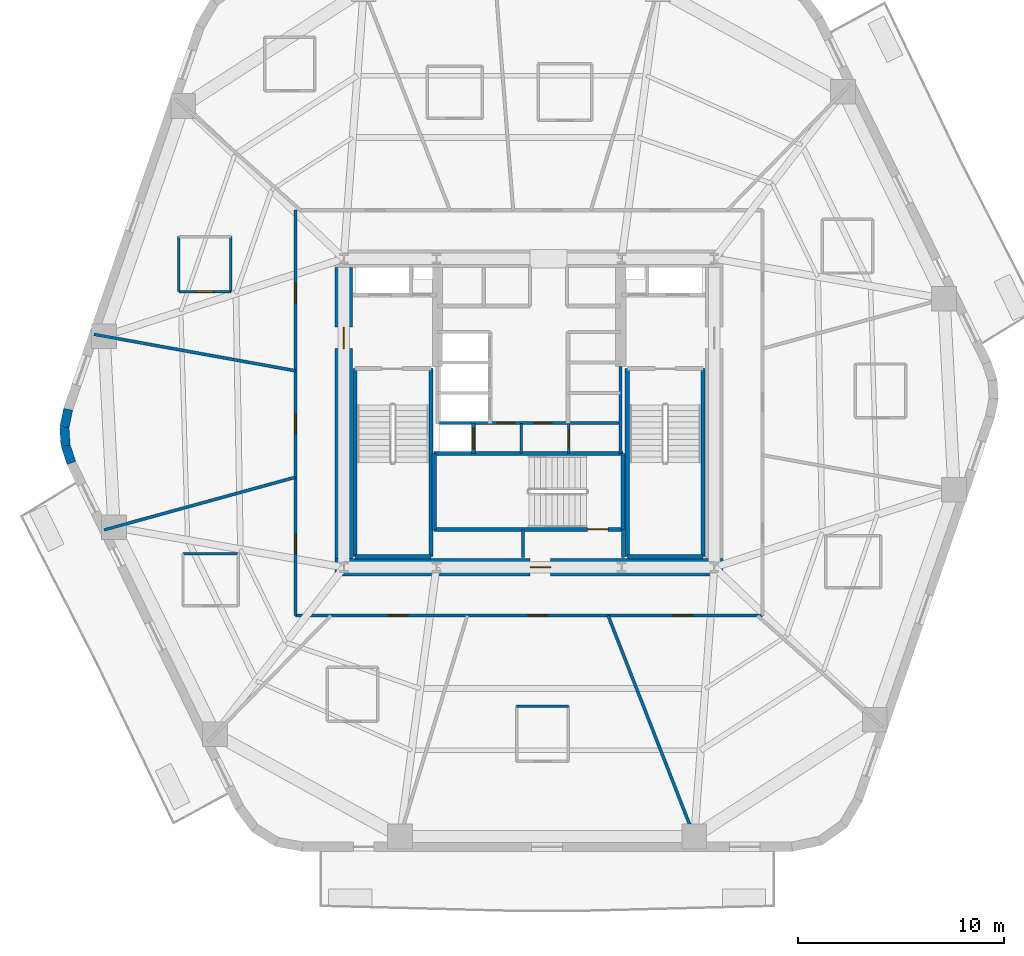
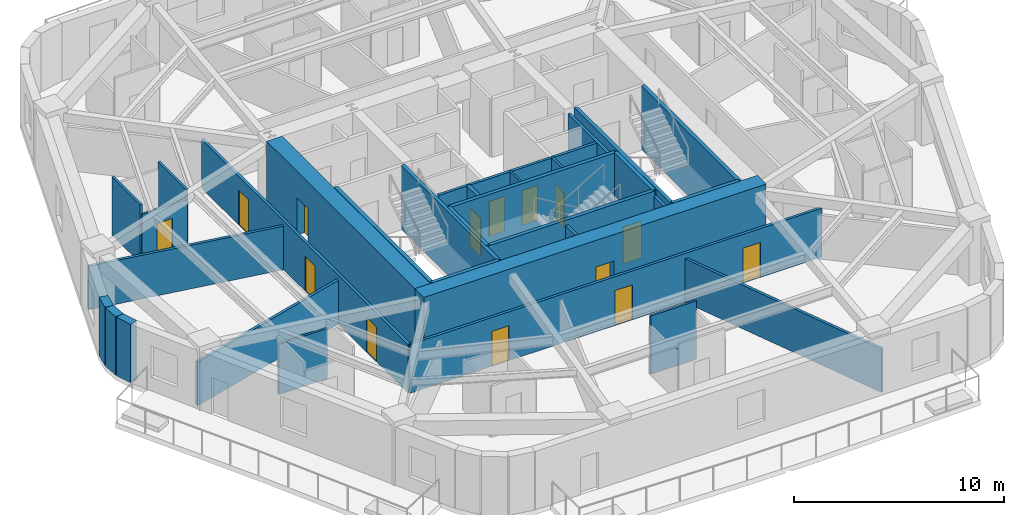
# One storey, part 3 of 9: 32 walls, 14 doors, 14 openings.
"""IFC4 building model written with IfcOpenShell, lengths in metres."""

from ifc_helpers import new_model, si_unit, direction, frame, frame_2d, origin, place, context, subcontext, project, spatial, rectangle, extrude, material, layer, layer_set, type_object, element, fill, save


model = new_model("IFC4")

# Units and contexts
model_context = context("Model", 3, precision=1e-05, world=origin(), true_north=direction((0.0, 1.0)))
body_context = subcontext(model_context, "Body", "Model", "MODEL_VIEW")
ifc_project = project(units=[si_unit("LENGTHUNIT", "METRE"), si_unit("AREAUNIT", "SQUARE_METRE"), si_unit("VOLUMEUNIT", "CUBIC_METRE"), si_unit("PLANEANGLEUNIT", "RADIAN"), si_unit("MASSUNIT", "GRAM", prefix="KILO")], contexts=[model_context])

# Site, building, storey
site_placement = place(None, origin())
site = spatial("IfcSite", under=ifc_project, at=site_placement, CompositionType="ELEMENT")
building_placement = place(site_placement, origin())
building = spatial("IfcBuilding", under=site, at=building_placement, Name="Kilnhurst Terrace Hotel", CompositionType="ELEMENT")
storey_placement = place(building_placement, frame((0.0, 0.0, 124.699951171875)))
storey = spatial("IfcBuildingStorey", under=building, at=storey_placement, Name="L30", CompositionType="ELEMENT", Elevation=124.699951171875)

# Walls
ifc_material_1 = material(Name="Precast concrete C40/50", Category="concrete")
ifc_layer_1 = layer(ifc_material_1, 0.449951171875, Name="Precast concrete C40/50")
ifc_layer_set_1 = layer_set([ifc_layer_1], Name="Precast concrete C40/50")
wall_type_1 = type_object("IfcWallType", Name="WL-BRK-450", PredefinedType="SOLIDWALL", material=ifc_layer_set_1)
wall_1_placement = place(storey_placement, frame((-22.39697265625, 0.17919921875, 0.0), z_axis=(0.0, 0.0, 1.0), x_axis=(-0.199313589404, -0.979935759669, 0.0)))
element("IfcWall", 1, at=wall_1_placement, inside=storey, type_object=wall_type_1, Name="L30 Rounded Corner Brick Wall C6.1", PredefinedType="SOLIDWALL", context=body_context, shape_type="SweptSolid", body=[
    extrude(rectangle(XDim=0.8955078125, YDim=0.449951171875, at=frame_2d((0.44775390625, 0.0))), origin(), (0.0, 0.0, 1.0), 3.400146484375),
])
wall_2_placement = place(storey_placement, frame((-22.575439453125, -0.6982421875, 0.0), z_axis=(0.0, 0.0, 1.0), x_axis=(0.060980441946, -0.998138961117, 0.0)))
element("IfcWall", 2, at=wall_2_placement, inside=storey, type_object=wall_type_1, Name="L30 Rounded Corner Brick Wall C6.2", PredefinedType="SOLIDWALL", context=body_context, shape_type="SweptSolid", body=[
    extrude(rectangle(XDim=0.880859375, YDim=0.449951171875, at=frame_2d((0.4404296875, 0.0))), origin(), (0.0, 0.0, 1.0), 3.400146484375),
])
wall_3_placement = place(storey_placement, frame((-22.521728515625, -1.577392578125, 0.0), z_axis=(0.0, 0.0, 1.0), x_axis=(0.317372694837, -0.948300887151, 0.0)))
element("IfcWall", 3, at=wall_3_placement, inside=storey, type_object=wall_type_1, Name="L30 Rounded Corner Brick Wall C6.3", PredefinedType="SOLIDWALL", context=body_context, shape_type="SweptSolid", body=[
    extrude(rectangle(XDim=0.8955078125, YDim=0.449951171875, at=frame_2d((0.44775390625, 0.0))), origin(), (0.0, 0.0, 1.0), 3.400146484375),
])

# Wall, openings, doors
ifc_material_2 = material(Name="Acoustic Double-Gypsum Corridor Partition Assembly")
ifc_layer_2 = layer(ifc_material_2, 0.14990234375, Name="Acoustic Double-Gypsum Corridor Partition Assembly")
ifc_layer_set_2 = layer_set([ifc_layer_2], Name="Acoustic Double-Gypsum Corridor Partition Assembly")
wall_type_2 = type_object("IfcWallType", Name="WL-COR-150", PredefinedType="PARTITIONING", material=ifc_layer_set_2)
wall_4_placement = place(storey_placement, frame((-11.35009765625, -9.85009765625, 0.0), z_axis=(0.0, 0.0, 1.0), x_axis=(0.0, 1.0, 0.0)))
wall_4 = element("IfcWall", 4, at=wall_4_placement, inside=storey, type_object=wall_type_2, Name="L30 Interior Wall WL-L30-COR-01", PredefinedType="PARTITIONING", context=body_context, shape_type="SweptSolid", body=[
    extrude(rectangle(XDim=19.7001953125, YDim=0.14990234375, at=frame_2d((9.85009765625, 0.0))), origin(), (0.0, 0.0, 1.0), 2.840087890625),
])
opening_1_placement = place(wall_4_placement, frame((15.205078125, 0.0, 0.0)))
opening_1 = element("IfcOpeningElement", 5, at=opening_1_placement, cuts=wall_4, Name="Opening D-60B", PredefinedType="OPENING", context=body_context, shape_type="SweptSolid", body=[
    extrude(rectangle(XDim=0.949951171875, YDim=2.030029296875, at=frame_2d((0.47509765625, 1.01513671875))), frame((0.0, 0.0849609375, 0.0), z_axis=(0.0, -1.0, 0.0), x_axis=(1.0, 0.0, 0.0)), (0.0, 0.0, 1.0), 0.169921875),
])
opening_2_placement = place(wall_4_placement, frame((8.8359375, 0.0, 0.0)))
opening_2 = element("IfcOpeningElement", 6, at=opening_2_placement, cuts=wall_4, Name="Opening D-60B", PredefinedType="OPENING", context=body_context, shape_type="SweptSolid", body=[
    extrude(rectangle(XDim=0.949951171875, YDim=2.030029296875, at=frame_2d((0.47509765625, 1.01513671875))), frame((0.0, 0.0849609375, 0.0), z_axis=(0.0, -1.0, 0.0), x_axis=(1.0, 0.0, 0.0)), (0.0, 0.0, 1.0), 0.169921875),
])
opening_3_placement = place(wall_4_placement, frame((3.008056640625, 0.0, 0.0)))
opening_3 = element("IfcOpeningElement", 7, at=opening_3_placement, cuts=wall_4, Name="Opening D-60B", PredefinedType="OPENING", context=body_context, shape_type="SweptSolid", body=[
    extrude(rectangle(XDim=0.949951171875, YDim=2.030029296875, at=frame_2d((0.47509765625, 1.01513671875))), frame((0.0, 0.0849609375, 0.0), z_axis=(0.0, -1.0, 0.0), x_axis=(1.0, 0.0, 0.0)), (0.0, 0.0, 1.0), 0.169921875),
])
ifc_material_3 = material(Name="Acoustic Walnut Veneer Solid-Core Fire Door")
door_type_1 = type_object("IfcDoorType", Name="DR-FD60-950", OperationType="NOTDEFINED", PredefinedType="DOOR", material=ifc_material_3)
door_1_placement = place(opening_1_placement, origin())
door_1 = element("IfcDoor", 8, at=door_1_placement, inside=storey, type_object=door_type_1, Name="L30 Executive Suite Entry Door 6", OperationType="SINGLE_SWING_RIGHT", OverallHeight=2.030029296875, OverallWidth=0.949951171875, PredefinedType="DOOR", context=body_context, shape_type="SweptSolid", body=[
    extrude(rectangle(XDim=0.949951171875, YDim=2.030029296875, at=frame_2d((0.47509765625, 1.01513671875))), frame((0.0, 0.02490234375, 0.0), z_axis=(0.0, -1.0, 0.0), x_axis=(1.0, 0.0, 0.0)), (0.0, 0.0, 1.0), 0.050048828125),
])
fill(opening_1, door_1)
door_2_placement = place(opening_2_placement, origin())
door_2 = element("IfcDoor", 9, at=door_2_placement, inside=storey, type_object=door_type_1, Name="L30 Executive Boardroom Door", OperationType="SINGLE_SWING_LEFT", OverallHeight=2.030029296875, OverallWidth=0.949951171875, PredefinedType="DOOR", context=body_context, shape_type="SweptSolid", body=[
    extrude(rectangle(XDim=0.949951171875, YDim=2.030029296875, at=frame_2d((0.47509765625, 1.01513671875))), frame((0.0, 0.02490234375, 0.0), z_axis=(0.0, -1.0, 0.0), x_axis=(1.0, 0.0, 0.0)), (0.0, 0.0, 1.0), 0.050048828125),
])
fill(opening_2, door_2)
door_3_placement = place(opening_3_placement, origin())
door_3 = element("IfcDoor", 10, at=door_3_placement, inside=storey, type_object=door_type_1, Name="L30 Executive Suite Entry Door 8", OperationType="SINGLE_SWING_RIGHT", OverallHeight=2.030029296875, OverallWidth=0.949951171875, PredefinedType="DOOR", context=body_context, shape_type="SweptSolid", body=[
    extrude(rectangle(XDim=0.949951171875, YDim=2.030029296875, at=frame_2d((0.47509765625, 1.01513671875))), frame((0.0, 0.02490234375, 0.0), z_axis=(0.0, -1.0, 0.0), x_axis=(1.0, 0.0, 0.0)), (0.0, 0.0, 1.0), 0.050048828125),
])
fill(opening_3, door_3)

wall_5_placement = place(storey_placement, frame((11.35009765625, -9.85009765625, 0.0), z_axis=(0.0, 0.0, 1.0), x_axis=(-1.0, 0.0, 0.0)))
wall_5 = element("IfcWall", 11, at=wall_5_placement, inside=storey, type_object=wall_type_2, Name="L30 Interior Wall WL-L30-COR-04", PredefinedType="PARTITIONING", context=body_context, shape_type="SweptSolid", body=[
    extrude(rectangle(XDim=22.7001953125, YDim=0.14990234375, at=frame_2d((11.35009765625, 0.0))), origin(), (0.0, 0.0, 1.0), 2.840087890625),
])
opening_4_placement = place(wall_5_placement, frame((17.237060546875, 0.0, 0.0)))
opening_4 = element("IfcOpeningElement", 12, at=opening_4_placement, cuts=wall_5, Name="Opening D-60B", PredefinedType="OPENING", context=body_context, shape_type="SweptSolid", body=[
    extrude(rectangle(XDim=0.949951171875, YDim=2.030029296875, at=frame_2d((0.47509765625, 1.01513671875))), frame((0.0, 0.0849609375, 0.0), z_axis=(0.0, -1.0, 0.0), x_axis=(1.0, 0.0, 0.0)), (0.0, 0.0, 1.0), 0.169921875),
])
opening_5_placement = place(wall_5_placement, frame((10.449951171875, 0.0, 0.0)))
opening_5 = element("IfcOpeningElement", 13, at=opening_5_placement, cuts=wall_5, Name="Opening D-60B", PredefinedType="OPENING", context=body_context, shape_type="SweptSolid", body=[
    extrude(rectangle(XDim=0.949951171875, YDim=2.030029296875, at=frame_2d((0.47509765625, 1.01513671875))), frame((0.0, 0.0849609375, 0.0), z_axis=(0.0, -1.0, 0.0), x_axis=(1.0, 0.0, 0.0)), (0.0, 0.0, 1.0), 0.169921875),
])
opening_6_placement = place(wall_5_placement, frame((3.39892578125, 0.0, 0.0)))
opening_6 = element("IfcOpeningElement", 14, at=opening_6_placement, cuts=wall_5, Name="Opening D-60B", PredefinedType="OPENING", context=body_context, shape_type="SweptSolid", body=[
    extrude(rectangle(XDim=0.949951171875, YDim=2.030029296875, at=frame_2d((0.47509765625, 1.01513671875))), frame((0.0, 0.0849609375, 0.0), z_axis=(0.0, -1.0, 0.0), x_axis=(1.0, 0.0, 0.0)), (0.0, 0.0, 1.0), 0.169921875),
])
door_4_placement = place(opening_4_placement, origin())
door_4 = element("IfcDoor", 15, at=door_4_placement, inside=storey, type_object=door_type_1, Name="L30 Executive Suite Entry Door 9", OperationType="SINGLE_SWING_LEFT", OverallHeight=2.030029296875, OverallWidth=0.949951171875, PredefinedType="DOOR", context=body_context, shape_type="SweptSolid", body=[
    extrude(rectangle(XDim=0.949951171875, YDim=2.030029296875, at=frame_2d((0.47509765625, 1.01513671875))), frame((0.0, 0.02490234375, 0.0), z_axis=(0.0, -1.0, 0.0), x_axis=(1.0, 0.0, 0.0)), (0.0, 0.0, 1.0), 0.050048828125),
])
fill(opening_4, door_4)
door_5_placement = place(opening_5_placement, origin())
door_5 = element("IfcDoor", 16, at=door_5_placement, inside=storey, type_object=door_type_1, Name="L30 Executive Suite Entry Door 10", OperationType="SINGLE_SWING_RIGHT", OverallHeight=2.030029296875, OverallWidth=0.949951171875, PredefinedType="DOOR", context=body_context, shape_type="SweptSolid", body=[
    extrude(rectangle(XDim=0.949951171875, YDim=2.030029296875, at=frame_2d((0.47509765625, 1.01513671875))), frame((0.0, 0.02490234375, 0.0), z_axis=(0.0, -1.0, 0.0), x_axis=(1.0, 0.0, 0.0)), (0.0, 0.0, 1.0), 0.050048828125),
])
fill(opening_5, door_5)
door_6_placement = place(opening_6_placement, origin())
door_6 = element("IfcDoor", 17, at=door_6_placement, inside=storey, type_object=door_type_1, Name="L30 Private Dining Room Door", OperationType="SINGLE_SWING_LEFT", OverallHeight=2.030029296875, OverallWidth=0.949951171875, PredefinedType="DOOR", context=body_context, shape_type="SweptSolid", body=[
    extrude(rectangle(XDim=0.949951171875, YDim=2.030029296875, at=frame_2d((0.47509765625, 1.01513671875))), frame((0.0, 0.02490234375, 0.0), z_axis=(0.0, -1.0, 0.0), x_axis=(1.0, 0.0, 0.0)), (0.0, 0.0, 1.0), 0.050048828125),
])
fill(opening_6, door_6)

# Wall, opening, door
ifc_material_4 = material(Name="Concrete C80/95", Category="concrete")
ifc_layer_3 = layer(ifc_material_4, 0.85009765625, Name="Concrete C80/95")
ifc_layer_set_3 = layer_set([ifc_layer_3], Name="Concrete C80/95")
wall_type_3 = type_object("IfcWallType", Name="WL-CORE-850", PredefinedType="SHEAR", material=ifc_layer_set_3)
wall_6_placement = place(storey_placement, frame((-9.425048828125, -7.5, 0.0), z_axis=(0.0, 0.0, 1.0), x_axis=(1.0, 0.0, 0.0)))
wall_6 = element("IfcWall", 18, at=wall_6_placement, inside=storey, type_object=wall_type_3, Name="L30 Core South Shear Wall", PredefinedType="SHEAR", context=body_context, shape_type="SweptSolid", body=[
    extrude(rectangle(XDim=18.85009765625, YDim=0.85009765625, at=frame_2d((9.425048828125, 0.0))), origin(), (0.0, 0.0, 1.0), 3.699951171875),
])
opening_7_placement = place(wall_6_placement, frame((9.47509765625, 0.0, 0.0)))
opening_7 = element("IfcOpeningElement", 19, at=opening_7_placement, cuts=wall_6, Name="Opening D-90B", PredefinedType="OPENING", context=body_context, shape_type="SweptSolid", body=[
    extrude(rectangle(XDim=1.0, YDim=2.14990234375, at=frame_2d((0.5, 1.074951171875))), frame((0.0, 0.43505859375, 0.0), z_axis=(0.0, -1.0, 0.0), x_axis=(1.0, 0.0, 0.0)), (0.0, 0.0, 1.0), 0.8701171875),
])
ifc_material_5 = material(Name="Painted Hollow Metal Steel ASTM A36 Fire Door", Category="steel")
door_type_2 = type_object("IfcDoorType", Name="DR-FD90-1000", OperationType="NOTDEFINED", PredefinedType="DOOR", material=ifc_material_5)
door_7_placement = place(opening_7_placement, origin())
door_7 = element("IfcDoor", 20, at=door_7_placement, inside=storey, type_object=door_type_2, Name="L30 Stair ST-3 Corridor Door", OperationType="SINGLE_SWING_RIGHT", OverallHeight=2.14990234375, OverallWidth=1.0, PredefinedType="DOOR", context=body_context, shape_type="SweptSolid", body=[
    extrude(rectangle(XDim=1.0, YDim=2.14990234375, at=frame_2d((0.5, 1.074951171875))), frame((0.0, 0.02490234375, 0.0), z_axis=(0.0, -1.0, 0.0), x_axis=(1.0, 0.0, 0.0)), (0.0, 0.0, 1.0), 0.050048828125),
])
fill(opening_7, door_7)

wall_7_placement = place(storey_placement, frame((-9.0, -7.074951171875, 0.0), z_axis=(0.0, 0.0, 1.0), x_axis=(0.0, 1.0, 0.0)))
wall_7 = element("IfcWall", 21, at=wall_7_placement, inside=storey, type_object=wall_type_3, Name="L30 Core West Shear Wall", PredefinedType="SHEAR", context=body_context, shape_type="SweptSolid", body=[
    extrude(rectangle(XDim=14.14990234375, YDim=0.85009765625, at=frame_2d((7.074951171875, 0.0))), origin(), (0.0, 0.0, 1.0), 3.699951171875),
])
opening_8_placement = place(wall_7_placement, frame((10.199951171875, 0.0, 0.0)))
opening_8 = element("IfcOpeningElement", 22, at=opening_8_placement, cuts=wall_7, Name="Opening D-90A", PredefinedType="OPENING", context=body_context, shape_type="SweptSolid", body=[
    extrude(rectangle(XDim=1.050048828125, YDim=2.14990234375, at=frame_2d((0.52490234375, 1.074951171875))), frame((0.0, 0.43505859375, 0.0), z_axis=(0.0, -1.0, 0.0), x_axis=(1.0, 0.0, 0.0)), (0.0, 0.0, 1.0), 0.8701171875),
])
door_type_3 = type_object("IfcDoorType", Name="DR-FD90-1050", OperationType="NOTDEFINED", PredefinedType="DOOR", material=ifc_material_5)
door_8_placement = place(opening_8_placement, origin())
door_8 = element("IfcDoor", 23, at=door_8_placement, inside=storey, type_object=door_type_3, Name="L30 West Firefighting Lobby Door", OperationType="SINGLE_SWING_RIGHT", OverallHeight=2.14990234375, OverallWidth=1.050048828125, PredefinedType="DOOR", context=body_context, shape_type="SweptSolid", body=[
    extrude(rectangle(XDim=1.050048828125, YDim=2.14990234375, at=frame_2d((0.52490234375, 1.074951171875))), frame((0.0, 0.02490234375, 0.0), z_axis=(0.0, -1.0, 0.0), x_axis=(1.0, 0.0, 0.0)), (0.0, 0.0, 1.0), 0.050048828125),
])
fill(opening_8, door_8)

# Walls
ifc_material_6 = material(Name="STC-58 Acoustic Twin-Frame Guestroom Demising Partition")
ifc_layer_4 = layer(ifc_material_6, 0.14990234375, Name="STC-58 Acoustic Twin-Frame Guestroom Demising Partition")
ifc_layer_set_4 = layer_set([ifc_layer_4], Name="STC-58 Acoustic Twin-Frame Guestroom Demising Partition")
wall_type_4 = type_object("IfcWallType", Name="WL-DEM-150", PredefinedType="PARTITIONING", material=ifc_layer_set_4)
wall_8_placement = place(storey_placement, frame((-11.35009765625, 2.05078125, 0.0), z_axis=(0.0, 0.0, 1.0), x_axis=(-0.984068313063, 0.177790762484, 0.0)))
element("IfcWall", 24, at=wall_8_placement, inside=storey, type_object=wall_type_4, Name="L30 Interior Wall WL-L30-DEM-COL06-07-1", PredefinedType="PARTITIONING", context=body_context, shape_type="SweptSolid", body=[
    extrude(rectangle(XDim=9.951416015625, YDim=0.14990234375, at=frame_2d((4.9755859375, 0.0))), origin(), (0.0, 0.0, 1.0), 2.5400390625),
])
wall_9_placement = place(storey_placement, frame((-11.35009765625, -3.123291015625, 0.0), z_axis=(0.0, 0.0, 1.0), x_axis=(-0.964151983214, -0.265350623261, 0.0)))
element("IfcWall", 25, at=wall_9_placement, inside=storey, type_object=wall_type_4, Name="L30 Interior Wall WL-L30-DEM-COL07-08-1", PredefinedType="PARTITIONING", context=body_context, shape_type="SweptSolid", body=[
    extrude(rectangle(XDim=9.64501953125, YDim=0.14990234375, at=frame_2d((4.822509765625, 0.0))), origin(), (0.0, 0.0, 1.0), 2.5400390625),
])
wall_10_placement = place(storey_placement, frame((3.84228515625, -9.85009765625, 0.0), z_axis=(0.0, 0.0, 1.0), x_axis=(0.363432685593, -0.931620460833, 0.0)))
element("IfcWall", 26, at=wall_10_placement, inside=storey, type_object=wall_type_4, Name="L30 Interior Wall WL-L30-DEM-COL10-11-1", PredefinedType="PARTITIONING", context=body_context, shape_type="SweptSolid", body=[
    extrude(rectangle(XDim=12.048828125, YDim=0.14990234375, at=frame_2d((6.0244140625, 0.0))), origin(), (0.0, 0.0, 1.0), 2.5400390625),
])
ifc_material_7 = material(Name="120 mm Moisture-Resistant Tile-Backed Bathroom Partition")
ifc_layer_5 = layer(ifc_material_7, 0.1201171875, Name="120 mm Moisture-Resistant Tile-Backed Bathroom Partition")
ifc_layer_set_5 = layer_set([ifc_layer_5], Name="120 mm Moisture-Resistant Tile-Backed Bathroom Partition")
wall_type_5 = type_object("IfcWallType", Name="WL-PART-120", PredefinedType="PARTITIONING", material=ifc_layer_set_5)
wall_11_placement = place(storey_placement, frame((-0.3798828125, -1.971923828125, 0.0), z_axis=(0.0, 0.0, 1.0), x_axis=(0.0, 1.0, 0.0)))
element("IfcWall", 27, at=wall_11_placement, inside=storey, type_object=wall_type_5, Name="L30 Interior Wall WL-L30-BOH-C1", PredefinedType="PARTITIONING", context=body_context, shape_type="SweptSolid", body=[
    extrude(rectangle(XDim=1.471923828125, YDim=0.1201171875, at=frame_2d((0.73583984375, 0.0))), origin(), (0.0, 0.0, 1.0), 3.400146484375),
])

# Wall, opening, door
wall_12_placement = place(storey_placement, frame((1.919921875, -1.971923828125, 0.0), z_axis=(0.0, 0.0, 1.0), x_axis=(0.0, 1.0, 0.0)))
wall_12 = element("IfcWall", 28, at=wall_12_placement, inside=storey, type_object=wall_type_5, Name="L30 Interior Wall WL-L30-BOH-C2", PredefinedType="PARTITIONING", context=body_context, shape_type="SweptSolid", body=[
    extrude(rectangle(XDim=1.471923828125, YDim=0.1201171875, at=frame_2d((0.73583984375, 0.0))), origin(), (0.0, 0.0, 1.0), 3.400146484375),
])
opening_9_placement = place(wall_12_placement, frame((0.300048828125, 0.0, 0.0)))
opening_9 = element("IfcOpeningElement", 29, at=opening_9_placement, cuts=wall_12, Name="Opening D-08A", PredefinedType="OPENING", context=body_context, shape_type="SweptSolid", body=[
    extrude(rectangle(XDim=0.85009765625, YDim=2.030029296875, at=frame_2d((0.425048828125, 1.01513671875))), frame((0.0, 0.070068359375, 0.0), z_axis=(0.0, -1.0, 0.0), x_axis=(1.0, 0.0, 0.0)), (0.0, 0.0, 1.0), 0.14013671875),
])
ifc_material_8 = material(Name="Moisture-Resistant Lacquered En-suite Bathroom Door")
door_type_4 = type_object("IfcDoorType", Name="DR-INT-850", OperationType="NOTDEFINED", PredefinedType="DOOR", material=ifc_material_8)
door_9_placement = place(opening_9_placement, origin())
door_9 = element("IfcDoor", 30, at=door_9_placement, inside=storey, type_object=door_type_4, Name="L30 Staff Restroom Door", OperationType="SINGLE_SWING_RIGHT", OverallHeight=2.030029296875, OverallWidth=0.85009765625, PredefinedType="DOOR", context=body_context, shape_type="SweptSolid", body=[
    extrude(rectangle(XDim=0.85009765625, YDim=2.030029296875, at=frame_2d((0.425048828125, 1.01513671875))), frame((0.0, 0.02490234375, 0.0), z_axis=(0.0, -1.0, 0.0), x_axis=(1.0, 0.0, 0.0)), (0.0, 0.0, 1.0), 0.050048828125),
])
fill(opening_9, door_9)

wall_13_placement = place(storey_placement, frame((-17.013916015625, 5.889892578125, 0.0), z_axis=(0.0, 0.0, 1.0), x_axis=(1.0, 0.0, 0.0)))
wall_13 = element("IfcWall", 31, at=wall_13_placement, inside=storey, type_object=wall_type_5, Name="L30 Interior Wall WL-L30-BTH-06-1", PredefinedType="PARTITIONING", context=body_context, shape_type="SweptSolid", body=[
    extrude(rectangle(XDim=2.52001953125, YDim=0.1201171875, at=frame_2d((1.260009765625, 0.0))), origin(), (0.0, 0.0, 1.0), 2.840087890625),
])
opening_10_placement = place(wall_13_placement, frame((0.8349609375, 0.0, 0.0)))
opening_10 = element("IfcOpeningElement", 32, at=opening_10_placement, cuts=wall_13, Name="Opening D-08A", PredefinedType="OPENING", context=body_context, shape_type="SweptSolid", body=[
    extrude(rectangle(XDim=0.85009765625, YDim=2.030029296875, at=frame_2d((0.425048828125, 1.01513671875))), frame((0.0, 0.070068359375, 0.0), z_axis=(0.0, -1.0, 0.0), x_axis=(1.0, 0.0, 0.0)), (0.0, 0.0, 1.0), 0.14013671875),
])
door_10_placement = place(opening_10_placement, origin())
door_10 = element("IfcDoor", 33, at=door_10_placement, inside=storey, type_object=door_type_4, Name="L30 En-suite Bathroom Door 6", OperationType="SINGLE_SWING_LEFT", OverallHeight=2.030029296875, OverallWidth=0.85009765625, PredefinedType="DOOR", context=body_context, shape_type="SweptSolid", body=[
    extrude(rectangle(XDim=0.85009765625, YDim=2.030029296875, at=frame_2d((0.425048828125, 1.01513671875))), frame((0.0, 0.02490234375, 0.0), z_axis=(0.0, -1.0, 0.0), x_axis=(1.0, 0.0, 0.0)), (0.0, 0.0, 1.0), 0.050048828125),
])
fill(opening_10, door_10)

# Walls
for number, where, z_axis, x_axis, name in (
    (34, (-14.493896484375, 5.889892578125, 0.0), (0.0, 0.0, 1.0), (0.0, 1.0, 0.0), "L30 Interior Wall WL-L30-BTH-06-2"),
    (35, (-17.013916015625, 8.570068359375, 0.0), (0.0, 0.0, 1.0), (0.0, -1.0, 0.0), "L30 Interior Wall WL-L30-BTH-06-4"),
):
    element("IfcWall", number, at=place(storey_placement, frame(where, z_axis=z_axis, x_axis=x_axis)), inside=storey, type_object=wall_type_5, Name=name, PredefinedType="PARTITIONING", context=body_context, shape_type="SweptSolid", body=[
        extrude(rectangle(XDim=2.68017578125, YDim=0.1201171875, at=frame_2d((1.340087890625, 0.0))), origin(), (0.0, 0.0, 1.0), 3.400146484375),
    ])
wall_14_placement = place(storey_placement, frame((-14.135009765625, -6.8349609375, 0.0), z_axis=(0.0, 0.0, 1.0), x_axis=(-1.0, 0.0, 0.0)))
element("IfcWall", 36, at=wall_14_placement, inside=storey, type_object=wall_type_5, Name="L30 Interior Wall WL-L30-BTH-08-3", PredefinedType="PARTITIONING", context=body_context, shape_type="SweptSolid", body=[
    extrude(rectangle(XDim=2.679931640625, YDim=0.1201171875, at=frame_2d((1.33984375, 0.0))), origin(), (0.0, 0.0, 1.0), 2.926513671875),
])
wall_15_placement = place(storey_placement, frame((1.912109375, -14.2470703125, 0.0), z_axis=(0.0, 0.0, 1.0), x_axis=(-1.0, 0.0, 0.0)))
element("IfcWall", 37, at=wall_15_placement, inside=storey, type_object=wall_type_5, Name="L30 Interior Wall WL-L30-BTH-10-3", PredefinedType="PARTITIONING", context=body_context, shape_type="SweptSolid", body=[
    extrude(rectangle(XDim=2.52001953125, YDim=0.1201171875, at=frame_2d((1.260009765625, 0.0))), origin(), (0.0, 0.0, 1.0), 3.400146484375),
])
ifc_material_9 = material(Name="Fire-Rated Gypsum Shaftliner Assembly")
ifc_layer_6 = layer(ifc_material_9, 0.14990234375, Name="Fire-Rated Gypsum Shaftliner Assembly")
ifc_layer_set_6 = layer_set([ifc_layer_6], Name="Fire-Rated Gypsum Shaftliner Assembly")
wall_type_6 = type_object("IfcWallType", Name="WL-SHAFT-150", PredefinedType="PARTITIONING", material=ifc_layer_set_6)
for number, where, z_axis, x_axis, name in (
    (38, (-0.300048828125, -7.02001953125, 0.0), (0.0, 0.0, 1.0), (0.0, 1.0, 0.0), "L30 Interior Wall WL-L30-ST3-PSGW"),
    (39, (4.55810546875, -7.02001953125, 0.0), (0.0, 0.0, 1.0), (0.0, 1.0, 0.0), "L30 Interior Wall WL-L30-ST3-PSGE"),
):
    element("IfcWall", number, at=place(storey_placement, frame(where, z_axis=z_axis, x_axis=x_axis)), inside=storey, type_object=wall_type_6, Name=name, PredefinedType="PARTITIONING", context=body_context, shape_type="SweptSolid", body=[
        extrude(rectangle(XDim=1.362060546875, YDim=0.14990234375, at=frame_2d((0.68115234375, 0.0))), origin(), (0.0, 0.0, 1.0), 3.400146484375),
    ])
wall_16_placement = place(storey_placement, frame((4.449951171875, -1.971923828125, 0.0), z_axis=(0.0, 0.0, 1.0), x_axis=(0.0, 1.0, 0.0)))
element("IfcWall", 40, at=wall_16_placement, inside=storey, type_object=wall_type_6, Name="L30 Interior Wall WL-L30-XLOB-E", PredefinedType="PARTITIONING", context=body_context, shape_type="SweptSolid", body=[
    extrude(rectangle(XDim=4.221923828125, YDim=0.14990234375, at=frame_2d((2.11083984375, 0.0))), origin(), (0.0, 0.0, 1.0), 3.400146484375),
])

# Wall, openings, doors
wall_17_placement = place(storey_placement, frame((-4.360107421875, -0.489990234375, 0.0), z_axis=(0.0, 0.0, 1.0), x_axis=(1.0, 0.0, 0.0)))
wall_17 = element("IfcWall", 41, at=wall_17_placement, inside=storey, type_object=wall_type_6, Name="L30 Interior Wall WL-L30-BOH-N", PredefinedType="PARTITIONING", context=body_context, shape_type="SweptSolid", body=[
    extrude(rectangle(XDim=8.72021484375, YDim=0.14990234375, at=frame_2d((4.360107421875, 0.0))), origin(), (0.0, 0.0, 1.0), 3.400146484375),
])
opening_11_placement = place(wall_17_placement, frame((2.81005859375, 0.0, 0.0)))
opening_11 = element("IfcOpeningElement", 42, at=opening_11_placement, cuts=wall_17, Name="Opening D-60D", PredefinedType="OPENING", context=body_context, shape_type="SweptSolid", body=[
    extrude(rectangle(XDim=0.85009765625, YDim=2.030029296875, at=frame_2d((0.425048828125, 1.01513671875))), frame((0.0, 0.0849609375, 0.0), z_axis=(0.0, -1.0, 0.0), x_axis=(1.0, 0.0, 0.0)), (0.0, 0.0, 1.0), 0.169921875),
])
opening_12_placement = place(wall_17_placement, frame((4.610107421875, 0.0, 0.0)))
opening_12 = element("IfcOpeningElement", 43, at=opening_12_placement, cuts=wall_17, Name="Opening D-60D", PredefinedType="OPENING", context=body_context, shape_type="SweptSolid", body=[
    extrude(rectangle(XDim=0.85009765625, YDim=2.030029296875, at=frame_2d((0.425048828125, 1.01513671875))), frame((0.0, 0.0849609375, 0.0), z_axis=(0.0, -1.0, 0.0), x_axis=(1.0, 0.0, 0.0)), (0.0, 0.0, 1.0), 0.169921875),
])
ifc_material_10 = material(Name="Painted Hollow Metal Steel ASTM A36 Riser Door", Category="steel")
door_type_5 = type_object("IfcDoorType", Name="DR-FD60-850", OperationType="NOTDEFINED", PredefinedType="DOOR", material=ifc_material_10)
door_11_placement = place(opening_11_placement, origin())
door_11 = element("IfcDoor", 44, at=door_11_placement, inside=storey, type_object=door_type_5, Name="L30 Housekeeping Station Door", OperationType="SINGLE_SWING_LEFT", OverallHeight=2.030029296875, OverallWidth=0.85009765625, PredefinedType="DOOR", context=body_context, shape_type="SweptSolid", body=[
    extrude(rectangle(XDim=0.85009765625, YDim=2.030029296875, at=frame_2d((0.425048828125, 1.01513671875))), frame((0.0, 0.02490234375, 0.0), z_axis=(0.0, -1.0, 0.0), x_axis=(1.0, 0.0, 0.0)), (0.0, 0.0, 1.0), 0.050048828125),
])
fill(opening_11, door_11)
door_12_placement = place(opening_12_placement, origin())
door_12 = element("IfcDoor", 45, at=door_12_placement, inside=storey, type_object=door_type_5, Name="L30 Beverage Pantry Door", OperationType="SINGLE_SWING_RIGHT", OverallHeight=2.030029296875, OverallWidth=0.85009765625, PredefinedType="DOOR", context=body_context, shape_type="SweptSolid", body=[
    extrude(rectangle(XDim=0.85009765625, YDim=2.030029296875, at=frame_2d((0.425048828125, 1.01513671875))), frame((0.0, 0.02490234375, 0.0), z_axis=(0.0, -1.0, 0.0), x_axis=(1.0, 0.0, 0.0)), (0.0, 0.0, 1.0), 0.050048828125),
])
fill(opening_12, door_12)

# Wall, opening, door
ifc_material_11 = material(Name="Autoclaved Aerated Concrete C30/37 and Gypsum Shaft Assembly", Category="concrete")
ifc_layer_7 = layer(ifc_material_11, 0.199951171875, Name="Autoclaved Aerated Concrete C30/37 and Gypsum Shaft Assembly")
ifc_layer_set_7 = layer_set([ifc_layer_7], Name="Autoclaved Aerated Concrete C30/37 and Gypsum Shaft Assembly")
wall_type_7 = type_object("IfcWallType", Name="WL-SHAFT-200", PredefinedType="PARTITIONING", material=ifc_layer_set_7)
wall_18_placement = place(storey_placement, frame((-2.699951171875, -1.971923828125, 0.0), z_axis=(0.0, 0.0, 1.0), x_axis=(0.0, 1.0, 0.0)))
wall_18 = element("IfcWall", 46, at=wall_18_placement, inside=storey, type_object=wall_type_7, Name="L30 Interior Wall WL-L30-SRV1-E", PredefinedType="PARTITIONING", context=body_context, shape_type="SweptSolid", body=[
    extrude(rectangle(XDim=1.471923828125, YDim=0.199951171875, at=frame_2d((0.73583984375, 0.0))), origin(), (0.0, 0.0, 1.0), 3.400146484375),
])
opening_13_placement = place(wall_18_placement, frame((0.239990234375, 0.0, 0.0)))
opening_13 = element("IfcOpeningElement", 47, at=opening_13_placement, cuts=wall_18, Name="Opening LD-SV", PredefinedType="OPENING", context=body_context, shape_type="SweptSolid", body=[
    extrude(rectangle(XDim=1.0, YDim=2.199951171875, at=frame_2d((0.5, 1.10009765625))), frame((0.0, 0.10986328125, 0.0), z_axis=(0.0, -1.0, 0.0), x_axis=(1.0, 0.0, 0.0)), (0.0, 0.0, 1.0), 0.219970703125),
])
ifc_material_12 = material(Name="Bronze-Anodized Stainless Steel AISI 316L Sliding Door", Category="steel")
door_type_6 = type_object("IfcDoorType", Name="DR-LIFT-1000", OperationType="NOTDEFINED", PredefinedType="DOOR", material=ifc_material_12)
door_13_placement = place(opening_13_placement, origin())
door_13 = element("IfcDoor", 48, at=door_13_placement, inside=storey, type_object=door_type_6, Name="L30 Service Lift SRV-1 Landing Door", OperationType="SLIDING_TO_LEFT", OverallHeight=2.199951171875, OverallWidth=1.0, PredefinedType="DOOR", context=body_context, shape_type="SweptSolid", body=[
    extrude(rectangle(XDim=1.0, YDim=2.199951171875, at=frame_2d((0.5, 1.10009765625))), frame((0.0, 0.02490234375, 0.0), z_axis=(0.0, -1.0, 0.0), x_axis=(1.0, 0.0, 0.0)), (0.0, 0.0, 1.0), 0.050048828125),
])
fill(opening_13, door_13)

# Walls
ifc_material_13 = material(Name="Concrete C50/60", Category="concrete")
ifc_layer_8 = layer(ifc_material_13, 0.199951171875, Name="Concrete C50/60")
ifc_layer_set_8 = layer_set([ifc_layer_8], Name="Concrete C50/60")
wall_type_8 = type_object("IfcWallType", Name="WL-STAIR-RC-200", PredefinedType="SHEAR", material=ifc_layer_set_8)
for number, where, z_axis, x_axis, name in (
    (49, (-8.4580078125, -6.985107421875, 0.0), (0.0, 0.0, 1.0), (0.0, 1.0, 0.0), "L30 Structural Stair Shaft Wall WL-L30-ST1-W"),
    (50, (-4.77197265625, -6.985107421875, 0.0), (0.0, 0.0, 1.0), (0.0, 1.0, 0.0), "L30 Structural Stair Shaft Wall WL-L30-ST1-E"),
):
    element("IfcWall", number, at=place(storey_placement, frame(where, z_axis=z_axis, x_axis=x_axis)), inside=storey, type_object=wall_type_8, Name=name, PredefinedType="SHEAR", context=body_context, shape_type="SweptSolid", body=[
        extrude(rectangle(XDim=9.14306640625, YDim=0.199951171875, at=frame_2d((4.571533203125, 0.0))), origin(), (0.0, 0.0, 1.0), 3.699951171875),
    ])
wall_19_placement = place(storey_placement, frame((-8.4580078125, -6.985107421875, 0.0), z_axis=(0.0, 0.0, 1.0), x_axis=(1.0, 0.0, 0.0)))
element("IfcWall", 51, at=wall_19_placement, inside=storey, type_object=wall_type_8, Name="L30 Structural Stair Shaft Wall WL-L30-ST1-S", PredefinedType="SHEAR", context=body_context, shape_type="SweptSolid", body=[
    extrude(rectangle(XDim=3.68603515625, YDim=0.199951171875, at=frame_2d((1.843017578125, 0.0))), origin(), (0.0, 0.0, 1.0), 3.699951171875),
])
for number, where, z_axis, x_axis, name in (
    (52, (4.77197265625, -6.985107421875, 0.0), (0.0, 0.0, 1.0), (0.0, 1.0, 0.0), "L30 Structural Stair Shaft Wall WL-L30-ST2-W"),
    (53, (8.4580078125, -6.985107421875, 0.0), (0.0, 0.0, 1.0), (0.0, 1.0, 0.0), "L30 Structural Stair Shaft Wall WL-L30-ST2-E"),
):
    element("IfcWall", number, at=place(storey_placement, frame(where, z_axis=z_axis, x_axis=x_axis)), inside=storey, type_object=wall_type_8, Name=name, PredefinedType="SHEAR", context=body_context, shape_type="SweptSolid", body=[
        extrude(rectangle(XDim=9.14306640625, YDim=0.199951171875, at=frame_2d((4.571533203125, 0.0))), origin(), (0.0, 0.0, 1.0), 3.699951171875),
    ])
for number, where, z_axis, x_axis, name in (
    (54, (4.77197265625, -6.985107421875, 0.0), (0.0, 0.0, 1.0), (1.0, 0.0, 0.0), "L30 Structural Stair Shaft Wall WL-L30-ST2-S"),
    (55, (-4.60791015625, -5.657958984375, 0.0), (0.0, 0.0, 1.0), (0.0, 1.0, 0.0), "L30 Structural Stair Shaft Wall WL-L30-ST3-W"),
):
    element("IfcWall", number, at=place(storey_placement, frame(where, z_axis=z_axis, x_axis=x_axis)), inside=storey, type_object=wall_type_8, Name=name, PredefinedType="SHEAR", context=body_context, shape_type="SweptSolid", body=[
        extrude(rectangle(XDim=3.68603515625, YDim=0.199951171875, at=frame_2d((1.843017578125, 0.0))), origin(), (0.0, 0.0, 1.0), 3.699951171875),
    ])

# Wall, opening, door
wall_20_placement = place(storey_placement, frame((-4.60791015625, -5.657958984375, 0.0), z_axis=(0.0, 0.0, 1.0), x_axis=(1.0, 0.0, 0.0)))
wall_20 = element("IfcWall", 56, at=wall_20_placement, inside=storey, type_object=wall_type_8, Name="L30 Structural Stair Shaft Wall WL-L30-ST3-S", PredefinedType="SHEAR", context=body_context, shape_type="SweptSolid", body=[
    extrude(rectangle(XDim=9.166015625, YDim=0.199951171875, at=frame_2d((4.5830078125, 0.0))), origin(), (0.0, 0.0, 1.0), 3.699951171875),
])
opening_14_placement = place(wall_20_placement, frame((7.449951171875, 0.0, 0.0)))
opening_14 = element("IfcOpeningElement", 57, at=opening_14_placement, cuts=wall_20, Name="Opening D-90B", PredefinedType="OPENING", context=body_context, shape_type="SweptSolid", body=[
    extrude(rectangle(XDim=1.0, YDim=2.14990234375, at=frame_2d((0.5, 1.074951171875))), frame((0.0, 0.10986328125, 0.0), z_axis=(0.0, -1.0, 0.0), x_axis=(1.0, 0.0, 0.0)), (0.0, 0.0, 1.0), 0.219970703125),
])
door_14_placement = place(opening_14_placement, origin())
door_14 = element("IfcDoor", 58, at=door_14_placement, inside=storey, type_object=door_type_2, Name="L30 Stair ST-3 Shaft Door", OperationType="SINGLE_SWING_LEFT", OverallHeight=2.14990234375, OverallWidth=1.0, PredefinedType="DOOR", context=body_context, shape_type="SweptSolid", body=[
    extrude(rectangle(XDim=1.0, YDim=2.14990234375, at=frame_2d((0.5, 1.074951171875))), frame((0.0, 0.02490234375, 0.0), z_axis=(0.0, -1.0, 0.0), x_axis=(1.0, 0.0, 0.0)), (0.0, 0.0, 1.0), 0.050048828125),
])
fill(opening_14, door_14)

# Walls
wall_21_placement = place(storey_placement, frame((-4.60791015625, -1.971923828125, 0.0), z_axis=(0.0, 0.0, 1.0), x_axis=(1.0, 0.0, 0.0)))
element("IfcWall", 59, at=wall_21_placement, inside=storey, type_object=wall_type_8, Name="L30 Structural Stair Shaft Wall WL-L30-ST3-N", PredefinedType="SHEAR", context=body_context, shape_type="SweptSolid", body=[
    extrude(rectangle(XDim=9.166015625, YDim=0.199951171875, at=frame_2d((4.5830078125, 0.0))), origin(), (0.0, 0.0, 1.0), 3.699951171875),
])
wall_22_placement = place(storey_placement, frame((4.55810546875, -5.657958984375, 0.0), z_axis=(0.0, 0.0, 1.0), x_axis=(0.0, 1.0, 0.0)))
element("IfcWall", 60, at=wall_22_placement, inside=storey, type_object=wall_type_8, Name="L30 Structural Stair Shaft Wall WL-L30-ST3-E", PredefinedType="SHEAR", context=body_context, shape_type="SweptSolid", body=[
    extrude(rectangle(XDim=3.68603515625, YDim=0.199951171875, at=frame_2d((1.843017578125, 0.0))), origin(), (0.0, 0.0, 1.0), 3.699951171875),
])

save(model, "model.ifc")
